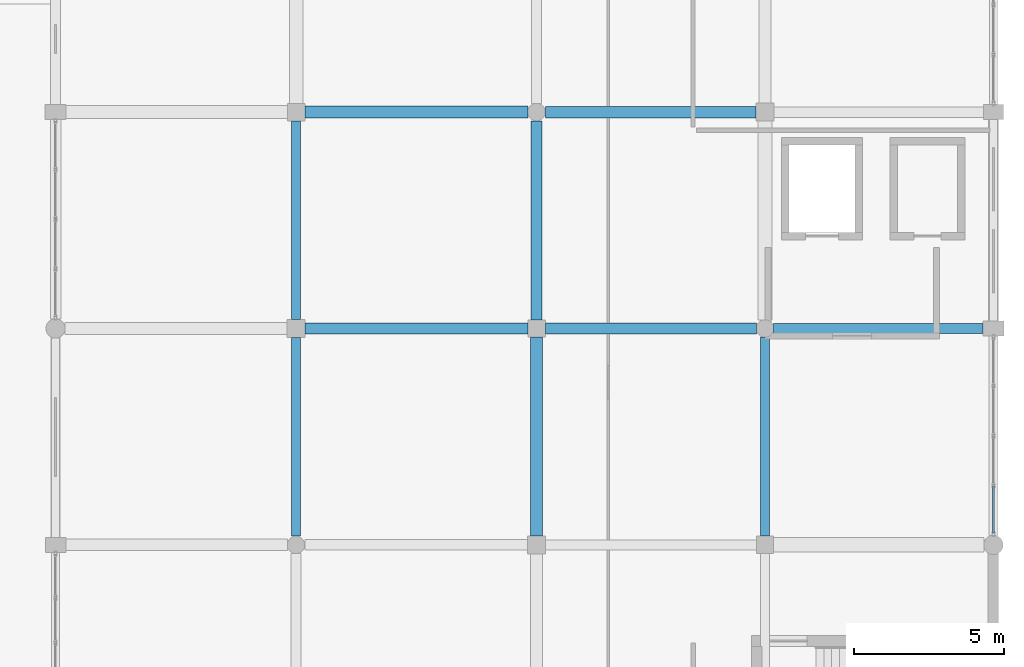
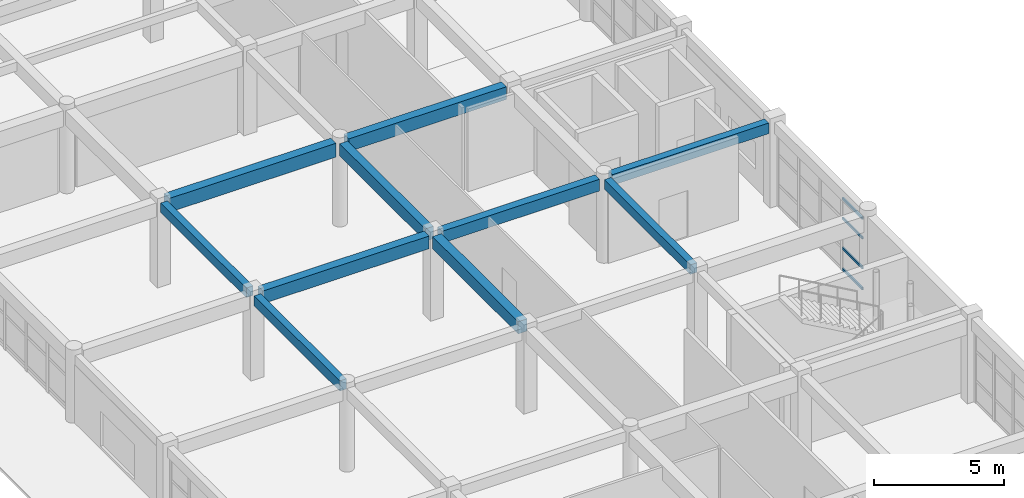
# One storey, part 80 of 121: 10 beams, 4 members, 1 element without a shape of its own.
"""IFC4 building model written with IfcOpenShell, lengths in metres."""

from ifc_helpers import new_model, si_unit, direction, frame, origin, origin_2d, place, context, subcontext, project, spatial, rectangle, hollow_rectangle, extrude, material, material_profile, profile_set, type_object, element, aggregate, save


model = new_model("IFC4")

# Units and contexts
model_context = context("Model", 3, precision=1e-05, world=origin(), true_north=direction((0.0, 1.0)))
body_context = subcontext(model_context, "Body", "Model", "MODEL_VIEW")
ifc_project = project(units=[si_unit("LENGTHUNIT", "METRE"), si_unit("AREAUNIT", "SQUARE_METRE"), si_unit("VOLUMEUNIT", "CUBIC_METRE"), si_unit("PLANEANGLEUNIT", "RADIAN"), si_unit("MASSUNIT", "GRAM", prefix="KILO")], contexts=[model_context])

# Site, building, storey
site_placement = place(None, origin())
site = spatial("IfcSite", under=ifc_project, at=site_placement, CompositionType="ELEMENT")
building_placement = place(site_placement, origin())
building = spatial("IfcBuilding", under=site, at=building_placement, Name="Kharva Crest Polytechnic", CompositionType="ELEMENT")
storey_placement = place(building_placement, frame((0.0, 0.0, 13.199951171875)))
storey = spatial("IfcBuildingStorey", under=building, at=storey_placement, Name="L03", CompositionType="ELEMENT", Elevation=13.199951171875)

# Beams
ifc_material_1 = material(Name="Concrete C35/45", Category="concrete")
ifc_material_profile_1 = material_profile(ifc_material_1, rectangle(XDim=0.300048828125, YDim=0.449951171875, at=origin_2d()), Name="RECT 300 X 450")
ifc_profile_set_1 = profile_set([ifc_material_profile_1], Name="Concrete C35/45")
beam_type_1 = type_object("IfcBeamType", Name="BM-RC-300X450", PredefinedType="BEAM", material=ifc_profile_set_1)
beam_1_placement = place(storey_placement, frame((160.800048828125, 86.300048828125, 3.735107421875), z_axis=(0.0, 1.0, 0.0), x_axis=(-1.0, 0.0, 0.0)))
element("IfcBeam", 1, at=beam_1_placement, inside=storey, type_object=beam_type_1, Name="L03 Girder 21/M-N", PredefinedType="BEAM", context=body_context, shape_type="SweptSolid", body=[
    extrude(rectangle(XDim=0.300048828125, YDim=0.449951171875, at=origin_2d()), origin(), (0.0, 0.0, 1.0), 6.60986328125),
])
beam_2_placement = place(storey_placement, frame((176.39990234375, 79.090087890625, 3.735107421875), z_axis=(0.0, 1.0, 0.0), x_axis=(-1.0, 0.0, 0.0)))
element("IfcBeam", 2, at=beam_2_placement, inside=storey, type_object=beam_type_1, Name="L03 Girder 23/L-M", PredefinedType="BEAM", context=body_context, shape_type="SweptSolid", body=[
    extrude(rectangle(XDim=0.300048828125, YDim=0.449951171875, at=origin_2d()), origin(), (0.0, 0.0, 1.0), 6.619873046875),
])
ifc_material_profile_2 = material_profile(ifc_material_1, rectangle(XDim=0.300048828125, YDim=0.47998046875, at=origin_2d()), Name="RECT 300 X 480")
ifc_profile_set_2 = profile_set([ifc_material_profile_2], Name="Concrete C35/45")
beam_type_2 = type_object("IfcBeamType", Name="BM-RC-300X480", PredefinedType="BEAM", material=ifc_profile_set_2)
beam_3_placement = place(storey_placement, frame((160.800048828125, 79.090087890625, 3.719970703125), z_axis=(0.0, 1.0, 0.0), x_axis=(-1.0, 0.0, 0.0)))
element("IfcBeam", 3, at=beam_3_placement, inside=storey, type_object=beam_type_2, Name="L03 Girder 21/L-M", PredefinedType="BEAM", context=body_context, shape_type="SweptSolid", body=[
    extrude(rectangle(XDim=0.300048828125, YDim=0.47998046875, at=origin_2d()), origin(), (0.0, 0.0, 1.0), 6.60986328125),
])
ifc_material_profile_3 = material_profile(ifc_material_1, rectangle(XDim=0.320068359375, YDim=0.5, at=origin_2d()), Name="RECT 320 X 500")
ifc_profile_set_3 = profile_set([ifc_material_profile_3], Name="Concrete C35/45")
beam_type_3 = type_object("IfcBeamType", Name="BM-RC-320X500", PredefinedType="BEAM", material=ifc_profile_set_3)
beam_4_placement = place(storey_placement, frame((176.68994140625, 86.0, 3.7099609375), z_axis=(1.0, 0.0, 0.0), x_axis=(0.0, 1.0, 0.0)))
element("IfcBeam", 4, at=beam_4_placement, inside=storey, type_object=beam_type_3, Name="L03 Beam M/23-24", PredefinedType="BEAM", context=body_context, shape_type="SweptSolid", body=[
    extrude(rectangle(XDim=0.320068359375, YDim=0.5, at=origin_2d()), origin(), (0.0, 0.0, 1.0), 6.9599609375),
])
ifc_material_profile_4 = material_profile(ifc_material_1, rectangle(XDim=0.35009765625, YDim=0.550048828125, at=origin_2d()), Name="RECT 350 X 550")
ifc_profile_set_4 = profile_set([ifc_material_profile_4], Name="Concrete C35/45")
beam_type_4 = type_object("IfcBeamType", Name="BM-RC-350X550", PredefinedType="BEAM", material=ifc_profile_set_4)
beam_5_placement = place(storey_placement, frame((169.090087890625, 86.0, 3.68505859375), z_axis=(1.0, 0.0, 0.0), x_axis=(0.0, 1.0, 0.0)))
element("IfcBeam", 5, at=beam_5_placement, inside=storey, type_object=beam_type_4, Name="L03 Beam M/22-23", PredefinedType="BEAM", context=body_context, shape_type="SweptSolid", body=[
    extrude(rectangle(XDim=0.35009765625, YDim=0.550048828125, at=origin_2d()), origin(), (0.0, 0.0, 1.0), 7.02001953125),
])
ifc_material_profile_5 = material_profile(ifc_material_1, rectangle(XDim=0.360107421875, YDim=0.580078125, at=origin_2d()), Name="RECT 360 X 580")
ifc_profile_set_5 = profile_set([ifc_material_profile_5], Name="Concrete C35/45")
beam_type_5 = type_object("IfcBeamType", Name="BM-RC-360X580", PredefinedType="BEAM", material=ifc_profile_set_5)
beam_6_placement = place(storey_placement, frame((168.800048828125, 86.2900390625, 3.670166015625), z_axis=(0.0, 1.0, 0.0), x_axis=(-1.0, 0.0, 0.0)))
element("IfcBeam", 6, at=beam_6_placement, inside=storey, type_object=beam_type_5, Name="L03 Girder 22/M-N", PredefinedType="BEAM", context=body_context, shape_type="SweptSolid", body=[
    extrude(rectangle(XDim=0.360107421875, YDim=0.580078125, at=origin_2d()), origin(), (0.0, 0.0, 1.0), 6.619873046875),
])
ifc_material_profile_6 = material_profile(ifc_material_1, rectangle(XDim=0.3798828125, YDim=0.60009765625, at=origin_2d()), Name="RECT 380 X 600")
ifc_profile_set_6 = profile_set([ifc_material_profile_6], Name="Concrete C35/45")
beam_type_6 = type_object("IfcBeamType", Name="BM-RC-380X600", PredefinedType="BEAM", material=ifc_profile_set_6)
beam_7_placement = place(storey_placement, frame((161.10009765625, 86.0, 3.66015625), z_axis=(1.0, 0.0, 0.0), x_axis=(0.0, 1.0, 0.0)))
element("IfcBeam", 7, at=beam_7_placement, inside=storey, type_object=beam_type_6, Name="L03 Beam M/21-22", PredefinedType="BEAM", context=body_context, shape_type="SweptSolid", body=[
    extrude(rectangle(XDim=0.3798828125, YDim=0.60009765625, at=origin_2d()), origin(), (0.0, 0.0, 1.0), 7.409912109375),
])
beam_8_placement = place(storey_placement, frame((169.090087890625, 93.199951171875, 3.66015625), z_axis=(1.0, 0.0, 0.0), x_axis=(0.0, 1.0, 0.0)))
element("IfcBeam", 8, at=beam_8_placement, inside=storey, type_object=beam_type_6, Name="L03 Beam N/22-23", PredefinedType="BEAM", context=body_context, shape_type="SweptSolid", body=[
    extrude(rectangle(XDim=0.3798828125, YDim=0.60009765625, at=origin_2d()), origin(), (0.0, 0.0, 1.0), 7.010009765625),
])
ifc_material_profile_7 = material_profile(ifc_material_1, rectangle(XDim=0.39990234375, YDim=0.580078125, at=origin_2d()), Name="RECT 400 X 580")
ifc_profile_set_7 = profile_set([ifc_material_profile_7], Name="Concrete C35/45")
beam_type_7 = type_object("IfcBeamType", Name="BM-RC-400X580", PredefinedType="BEAM", material=ifc_profile_set_7)
beam_9_placement = place(storey_placement, frame((168.800048828125, 79.10009765625, 3.670166015625), z_axis=(0.0, 1.0, 0.0), x_axis=(-1.0, 0.0, 0.0)))
element("IfcBeam", 9, at=beam_9_placement, inside=storey, type_object=beam_type_7, Name="L03 Girder 22/L-M", PredefinedType="BEAM", context=body_context, shape_type="SweptSolid", body=[
    extrude(rectangle(XDim=0.39990234375, YDim=0.580078125, at=origin_2d()), origin(), (0.0, 0.0, 1.0), 6.60986328125),
])
ifc_material_profile_8 = material_profile(ifc_material_1, rectangle(XDim=0.39990234375, YDim=0.64990234375, at=origin_2d()), Name="RECT 400 X 650")
ifc_profile_set_8 = profile_set([ifc_material_profile_8], Name="Concrete C35/45")
beam_type_8 = type_object("IfcBeamType", Name="BM-RC-400X650", PredefinedType="BEAM", material=ifc_profile_set_8)
beam_10_placement = place(storey_placement, frame((161.090087890625, 93.199951171875, 3.635009765625), z_axis=(1.0, 0.0, 0.0), x_axis=(0.0, 1.0, 0.0)))
element("IfcBeam", 10, at=beam_10_placement, inside=storey, type_object=beam_type_8, Name="L03 Beam N/21-22", PredefinedType="BEAM", context=body_context, shape_type="SweptSolid", body=[
    extrude(rectangle(XDim=0.39990234375, YDim=0.64990234375, at=origin_2d()), origin(), (0.0, 0.0, 1.0), 7.419921875),
])

# Curtain wall, members
ifc_material_2 = material(Name="Tempered insulated glass", Category="glass")
curtain_wall_type = type_object("IfcCurtainWallType", Name="CW-SYS-COURT", PredefinedType="USERDEFINED", material=ifc_material_2)
curtain_wall_placement = place(storey_placement, origin())
curtain_wall = element("IfcCurtainWall", 11, at=curtain_wall_placement, inside=storey, type_object=curtain_wall_type, Name="L03 Glazed Curtain Wall CW-151", ObjectType="CURTAIN WALL", PredefinedType="USERDEFINED")
ifc_material_3 = material(Name="Steel S355", Category="steel")
ifc_material_profile_9 = material_profile(ifc_material_3, hollow_rectangle(XDim=0.06005859375, YDim=0.1201171875, WallThickness=0.00390625, at=origin_2d()), Name="RHS 120X60X4.0")
ifc_profile_set_9 = profile_set([ifc_material_profile_9], Name="Steel S355")
member_type = type_object("IfcMemberType", Name="CWT-RHS120X60", PredefinedType="USERDEFINED", material=ifc_profile_set_9)
member_1_placement = place(storey_placement, frame((184.0, 79.205078125, 0.06005859375), z_axis=(0.0, 1.0, 0.0), x_axis=(-1.0, 0.0, 0.0)))
member_1 = element("IfcMember", 12, at=member_1_placement, type_object=member_type, Name="CW-151 transom 1.1", ObjectType="TRANSOM", PredefinedType="USERDEFINED", context=body_context, shape_type="SweptSolid", body=[
    extrude(hollow_rectangle(XDim=0.06005859375, YDim=0.1201171875, WallThickness=0.00390625, at=origin_2d()), origin(), (0.0, 0.0, 1.0), 1.534912109375),
])
member_2_placement = place(storey_placement, frame((184.0, 79.205078125, 1.050048828125), z_axis=(0.0, 1.0, 0.0), x_axis=(-1.0, 0.0, 0.0)))
member_2 = element("IfcMember", 13, at=member_2_placement, type_object=member_type, Name="CW-151 transom 1.2", ObjectType="TRANSOM", PredefinedType="USERDEFINED", context=body_context, shape_type="SweptSolid", body=[
    extrude(hollow_rectangle(XDim=0.06005859375, YDim=0.1201171875, WallThickness=0.00390625, at=origin_2d()), origin(), (0.0, 0.0, 1.0), 1.534912109375),
])
member_3_placement = place(storey_placement, frame((184.0, 79.205078125, 2.449951171875), z_axis=(0.0, 1.0, 0.0), x_axis=(-1.0, 0.0, 0.0)))
member_3 = element("IfcMember", 14, at=member_3_placement, type_object=member_type, Name="CW-151 transom 1.3", ObjectType="TRANSOM", PredefinedType="USERDEFINED", context=body_context, shape_type="SweptSolid", body=[
    extrude(hollow_rectangle(XDim=0.06005859375, YDim=0.1201171875, WallThickness=0.00390625, at=origin_2d()), origin(), (0.0, 0.0, 1.0), 1.534912109375),
])
member_4_placement = place(storey_placement, frame((184.0, 79.205078125, 3.380126953125), z_axis=(0.0, 1.0, 0.0), x_axis=(-1.0, 0.0, 0.0)))
member_4 = element("IfcMember", 15, at=member_4_placement, type_object=member_type, Name="CW-151 transom 1.4", ObjectType="TRANSOM", PredefinedType="USERDEFINED", context=body_context, shape_type="SweptSolid", body=[
    extrude(hollow_rectangle(XDim=0.06005859375, YDim=0.1201171875, WallThickness=0.00390625, at=origin_2d()), origin(), (0.0, 0.0, 1.0), 1.534912109375),
])
aggregate(curtain_wall, [member_1, member_2, member_3, member_4])

save(model, "model.ifc")
